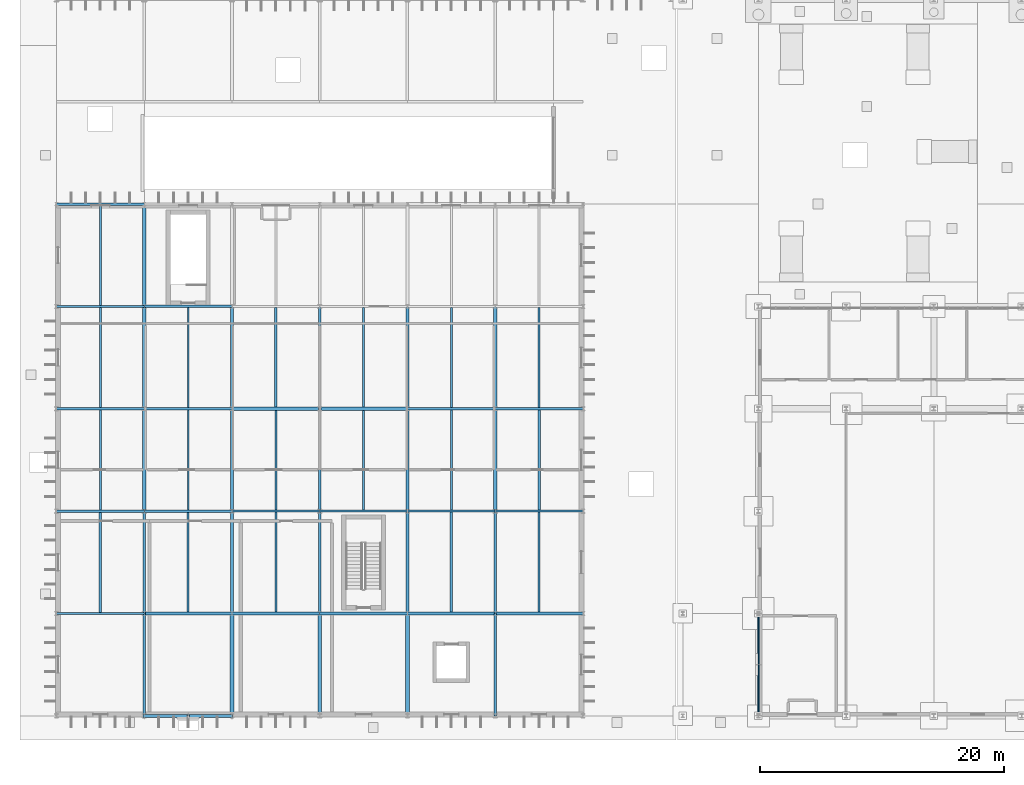
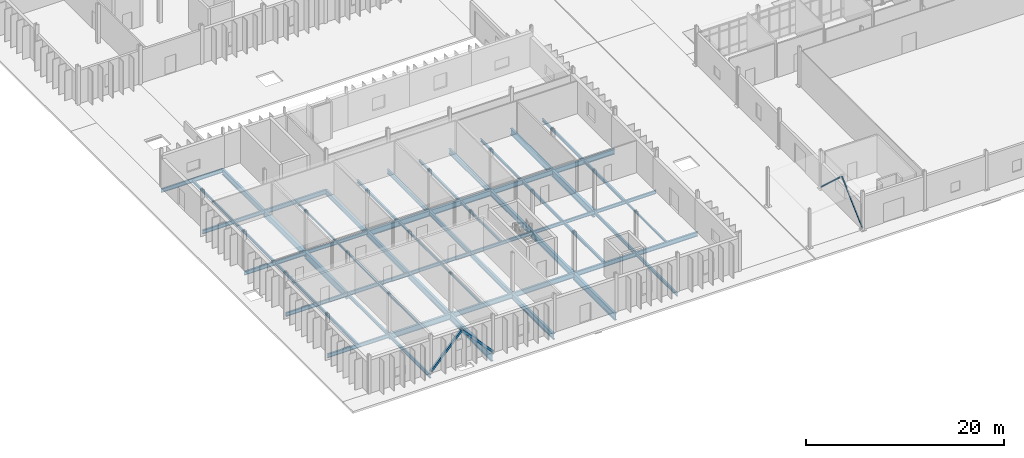
# One storey, part 30 of 118: 60 beams, 4 members.
"""IFC4 building model written with IfcOpenShell, lengths in metres."""

from ifc_helpers import new_model, si_unit, direction, frame, origin, origin_2d, place, context, subcontext, project, spatial, hollow_rectangle, hollow_circle, i_section, extrude, material, material_profile, profile_set, type_object, element, save


model = new_model("IFC4")

# Units and contexts
model_context = context("Model", 3, precision=1e-05, world=origin(), true_north=direction((0.0, 1.0)))
body_context = subcontext(model_context, "Body", "Model", "MODEL_VIEW")
ifc_project = project(units=[si_unit("LENGTHUNIT", "METRE"), si_unit("AREAUNIT", "SQUARE_METRE"), si_unit("VOLUMEUNIT", "CUBIC_METRE"), si_unit("PLANEANGLEUNIT", "RADIAN"), si_unit("MASSUNIT", "GRAM", prefix="KILO")], contexts=[model_context])

# Site, building, storey
site_placement = place(None, origin())
site = spatial("IfcSite", under=ifc_project, at=site_placement, CompositionType="ELEMENT")
building_placement = place(site_placement, origin())
building = spatial("IfcBuilding", under=site, at=building_placement, Name="Qelthora Terrace Specialist Clinic", CompositionType="ELEMENT")
storey_placement = place(building_placement, origin())
storey = spatial("IfcBuildingStorey", under=building, at=storey_placement, Name="L00", CompositionType="ELEMENT", Elevation=0.0)

# Beams
ifc_material = material(Name="Steel S355", Category="steel")
ifc_material_profile_1 = material_profile(ifc_material, i_section(OverallWidth=0.178955078125, OverallDepth=0.409912109375, WebThickness=0.0087890625, FlangeThickness=0.014404296875, FilletRadius=0.011962890625, at=origin_2d()), Name="W410X67")
ifc_profile_set_1 = profile_set([ifc_material_profile_1], Name="Steel S355")
beam_type_1 = type_object("IfcBeamType", Name="BM-W410X67", PredefinedType="BEAM", material=ifc_profile_set_1)
for number, where, z_axis, x_axis, name in (
    (1, (21.60009765625, 16.800048828125, -0.455078125), (1.0, 0.0, 0.0), (0.0, 1.0, 0.0), "Girder BMX-L00-0010"),
    (2, (36.0, 16.800048828125, -0.455078125), (1.0, 0.0, 0.0), (0.0, 1.0, 0.0), "Girder BMX-L00-0012"),
    (3, (7.199951171875, 25.199951171875, -0.455078125), (1.0, 0.0, 0.0), (0.0, 1.0, 0.0), "Girder BMX-L00-0014"),
):
    element("IfcBeam", number, at=place(storey_placement, frame(where, z_axis=z_axis, x_axis=x_axis)), inside=storey, type_object=beam_type_1, Name=name, PredefinedType="BEAM", context=body_context, shape_type="SweptSolid", body=[
        extrude(i_section(OverallWidth=0.178955078125, OverallDepth=0.409912109375, WebThickness=0.0087890625, FlangeThickness=0.014404296875, FilletRadius=0.011962890625, at=origin_2d()), origin(), (0.0, 0.0, 1.0), 7.199951171875),
    ])
for number, where, z_axis, x_axis, name in (
    (4, (7.199951171875, 8.39990234375, -0.455078125), (0.0, 1.0, 0.0), (-1.0, 0.0, 0.0), "Girder BMY-L00-0070"),
    (5, (36.0, 8.39990234375, -0.455078125), (0.0, 1.0, 0.0), (-1.0, 0.0, 0.0), "Girder BMY-L00-0110"),
):
    element("IfcBeam", number, at=place(storey_placement, frame(where, z_axis=z_axis, x_axis=x_axis)), inside=storey, type_object=beam_type_1, Name=name, PredefinedType="BEAM", context=body_context, shape_type="SweptSolid", body=[
        extrude(i_section(OverallWidth=0.178955078125, OverallDepth=0.409912109375, WebThickness=0.0087890625, FlangeThickness=0.014404296875, FilletRadius=0.011962890625, at=origin_2d()), origin(), (0.0, 0.0, 1.0), 8.400146484375),
    ])
ifc_material_profile_2 = material_profile(ifc_material, i_section(OverallWidth=0.179931640625, OverallDepth=0.4130859375, WebThickness=0.009765625, FlangeThickness=0.01611328125, FilletRadius=0.011962890625, at=origin_2d()), Name="W410X75")
ifc_profile_set_2 = profile_set([ifc_material_profile_2], Name="Steel S355")
beam_type_2 = type_object("IfcBeamType", Name="BM-W410X75", PredefinedType="BEAM", material=ifc_profile_set_2)
beam_1_placement = place(storey_placement, frame((14.39990234375, 16.800048828125, -0.45654296875), z_axis=(1.0, 0.0, 0.0), x_axis=(0.0, 1.0, 0.0)))
element("IfcBeam", 6, at=beam_1_placement, inside=storey, type_object=beam_type_2, Name="Girder BMX-L00-0009", PredefinedType="BEAM", context=body_context, shape_type="SweptSolid", body=[
    extrude(i_section(OverallWidth=0.179931640625, OverallDepth=0.4130859375, WebThickness=0.009765625, FlangeThickness=0.01611328125, FilletRadius=0.011962890625, at=origin_2d()), origin(), (0.0, 0.0, 1.0), 7.2001953125),
])
beam_2_placement = place(storey_placement, frame((28.800048828125, 16.800048828125, -0.45654296875), z_axis=(1.0, 0.0, 0.0), x_axis=(0.0, 1.0, 0.0)))
element("IfcBeam", 7, at=beam_2_placement, inside=storey, type_object=beam_type_2, Name="Girder BMX-L00-0011", PredefinedType="BEAM", context=body_context, shape_type="SweptSolid", body=[
    extrude(i_section(OverallWidth=0.179931640625, OverallDepth=0.4130859375, WebThickness=0.009765625, FlangeThickness=0.01611328125, FilletRadius=0.011962890625, at=origin_2d()), origin(), (0.0, 0.0, 1.0), 7.199951171875),
])
for number, where, z_axis, x_axis, name in (
    (8, (7.199951171875, 0.0, -0.45654296875), (0.0, 1.0, 0.0), (-1.0, 0.0, 0.0), "Girder BMY-L00-0069"),
    (9, (36.0, 0.0, -0.45654296875), (0.0, 1.0, 0.0), (-1.0, 0.0, 0.0), "Girder BMY-L00-0109"),
):
    element("IfcBeam", number, at=place(storey_placement, frame(where, z_axis=z_axis, x_axis=x_axis)), inside=storey, type_object=beam_type_2, Name=name, PredefinedType="BEAM", context=body_context, shape_type="SweptSolid", body=[
        extrude(i_section(OverallWidth=0.179931640625, OverallDepth=0.4130859375, WebThickness=0.009765625, FlangeThickness=0.01611328125, FilletRadius=0.011962890625, at=origin_2d()), origin(), (0.0, 0.0, 1.0), 8.39990234375),
    ])
ifc_material_profile_3 = material_profile(ifc_material, i_section(OverallWidth=0.19091796875, OverallDepth=0.4599609375, WebThickness=0.010009765625, FlangeThickness=0.01611328125, FilletRadius=0.012939453125, at=origin_2d()), Name="W460X82")
ifc_profile_set_3 = profile_set([ifc_material_profile_3], Name="Steel S355")
beam_type_3 = type_object("IfcBeamType", Name="BM-W460X82", PredefinedType="BEAM", material=ifc_profile_set_3)
beam_3_placement = place(storey_placement, frame((7.199951171875, 16.800048828125, -0.47998046875), z_axis=(1.0, 0.0, 0.0), x_axis=(0.0, 1.0, 0.0)))
element("IfcBeam", 10, at=beam_3_placement, inside=storey, type_object=beam_type_3, Name="Girder BMX-L00-0008", PredefinedType="BEAM", context=body_context, shape_type="SweptSolid", body=[
    extrude(i_section(OverallWidth=0.19091796875, OverallDepth=0.4599609375, WebThickness=0.010009765625, FlangeThickness=0.01611328125, FilletRadius=0.012939453125, at=origin_2d()), origin(), (0.0, 0.0, 1.0), 7.199951171875),
])
ifc_material_profile_4 = material_profile(ifc_material, i_section(OverallWidth=0.2099609375, OverallDepth=0.537109375, WebThickness=0.010986328125, FlangeThickness=0.017333984375, FilletRadius=0.013916015625, at=origin_2d()), Name="W530X101")
ifc_profile_set_4 = profile_set([ifc_material_profile_4], Name="Steel S355")
beam_type_4 = type_object("IfcBeamType", Name="BM-W530X101", PredefinedType="BEAM", material=ifc_profile_set_4)
for number, where, z_axis, x_axis, name in (
    (11, (36.0, 8.39990234375, -0.5185546875), (1.0, 0.0, 0.0), (0.0, 1.0, 0.0), "Girder BMX-L00-0006"),
    (12, (7.199951171875, 33.60009765625, -0.5185546875), (1.0, 0.0, 0.0), (0.0, 1.0, 0.0), "Girder BMX-L00-0020"),
):
    element("IfcBeam", number, at=place(storey_placement, frame(where, z_axis=z_axis, x_axis=x_axis)), inside=storey, type_object=beam_type_4, Name=name, PredefinedType="BEAM", context=body_context, shape_type="SweptSolid", body=[
        extrude(i_section(OverallWidth=0.2099609375, OverallDepth=0.537109375, WebThickness=0.010986328125, FlangeThickness=0.017333984375, FilletRadius=0.013916015625, at=origin_2d()), origin(), (0.0, 0.0, 1.0), 7.199951171875),
    ])
beam_4_placement = place(storey_placement, frame((21.60009765625, 25.199951171875, -0.5185546875), z_axis=(0.0, 1.0, 0.0), x_axis=(-1.0, 0.0, 0.0)))
element("IfcBeam", 13, at=beam_4_placement, inside=storey, type_object=beam_type_4, Name="Girder BMY-L00-0096", PredefinedType="BEAM", context=body_context, shape_type="SweptSolid", body=[
    extrude(i_section(OverallWidth=0.2099609375, OverallDepth=0.537109375, WebThickness=0.010986328125, FlangeThickness=0.017333984375, FilletRadius=0.013916015625, at=origin_2d()), origin(), (0.0, 0.0, 1.0), 8.400146484375),
])
ifc_material_profile_5 = material_profile(ifc_material, i_section(OverallWidth=0.2119140625, OverallDepth=0.5439453125, WebThickness=0.01318359375, FlangeThickness=0.021240234375, FilletRadius=0.013916015625, at=origin_2d()), Name="W530X123")
ifc_profile_set_5 = profile_set([ifc_material_profile_5], Name="Steel S355")
beam_type_5 = type_object("IfcBeamType", Name="BM-W530X123", PredefinedType="BEAM", material=ifc_profile_set_5)
beam_5_placement = place(storey_placement, frame((28.800048828125, 8.39990234375, -0.52197265625), z_axis=(1.0, 0.0, 0.0), x_axis=(0.0, 1.0, 0.0)))
element("IfcBeam", 14, at=beam_5_placement, inside=storey, type_object=beam_type_5, Name="Girder BMX-L00-0005", PredefinedType="BEAM", context=body_context, shape_type="SweptSolid", body=[
    extrude(i_section(OverallWidth=0.2119140625, OverallDepth=0.5439453125, WebThickness=0.01318359375, FlangeThickness=0.021240234375, FilletRadius=0.013916015625, at=origin_2d()), origin(), (0.0, 0.0, 1.0), 7.199951171875),
])
beam_6_placement = place(storey_placement, frame((21.60009765625, 16.800048828125, -0.52197265625), z_axis=(0.0, 1.0, 0.0), x_axis=(-1.0, 0.0, 0.0)))
element("IfcBeam", 15, at=beam_6_placement, inside=storey, type_object=beam_type_5, Name="Girder BMY-L00-0095", PredefinedType="BEAM", context=body_context, shape_type="SweptSolid", body=[
    extrude(i_section(OverallWidth=0.2119140625, OverallDepth=0.5439453125, WebThickness=0.01318359375, FlangeThickness=0.021240234375, FilletRadius=0.013916015625, at=origin_2d()), origin(), (0.0, 0.0, 1.0), 8.39990234375),
])
ifc_material_profile_6 = material_profile(ifc_material, i_section(OverallWidth=0.22900390625, OverallDepth=0.612060546875, WebThickness=0.011962890625, FlangeThickness=0.01953125, FilletRadius=0.01611328125, at=origin_2d()), Name="W610X125")
ifc_profile_set_6 = profile_set([ifc_material_profile_6], Name="Steel S355")
beam_type_6 = type_object("IfcBeamType", Name="BM-W610X125", PredefinedType="BEAM", material=ifc_profile_set_6)
for number, where, z_axis, x_axis, name in (
    (16, (21.60009765625, 8.39990234375, -0.555908203125), (1.0, 0.0, 0.0), (0.0, 1.0, 0.0), "Girder BMX-L00-0004"),
    (17, (36.0, 25.199951171875, -0.555908203125), (1.0, 0.0, 0.0), (0.0, 1.0, 0.0), "Girder BMX-L00-0018"),
):
    element("IfcBeam", number, at=place(storey_placement, frame(where, z_axis=z_axis, x_axis=x_axis)), inside=storey, type_object=beam_type_6, Name=name, PredefinedType="BEAM", context=body_context, shape_type="SweptSolid", body=[
        extrude(i_section(OverallWidth=0.22900390625, OverallDepth=0.612060546875, WebThickness=0.011962890625, FlangeThickness=0.01953125, FilletRadius=0.01611328125, at=origin_2d()), origin(), (0.0, 0.0, 1.0), 7.199951171875),
    ])
ifc_material_profile_7 = material_profile(ifc_material, i_section(OverallWidth=0.22998046875, OverallDepth=0.616943359375, WebThickness=0.01318359375, FlangeThickness=0.022216796875, FilletRadius=0.01611328125, at=origin_2d()), Name="W610X140")
ifc_profile_set_7 = profile_set([ifc_material_profile_7], Name="Steel S355")
beam_type_7 = type_object("IfcBeamType", Name="BM-W610X140", PredefinedType="BEAM", material=ifc_profile_set_7)
beam_7_placement = place(storey_placement, frame((14.39990234375, 8.39990234375, -0.55859375), z_axis=(1.0, 0.0, 0.0), x_axis=(0.0, 1.0, 0.0)))
element("IfcBeam", 18, at=beam_7_placement, inside=storey, type_object=beam_type_7, Name="Girder BMX-L00-0003", PredefinedType="BEAM", context=body_context, shape_type="SweptSolid", body=[
    extrude(i_section(OverallWidth=0.22998046875, OverallDepth=0.616943359375, WebThickness=0.01318359375, FlangeThickness=0.022216796875, FilletRadius=0.01611328125, at=origin_2d()), origin(), (0.0, 0.0, 1.0), 7.2001953125),
])
beam_8_placement = place(storey_placement, frame((28.800048828125, 25.199951171875, -0.55859375), z_axis=(1.0, 0.0, 0.0), x_axis=(0.0, 1.0, 0.0)))
element("IfcBeam", 19, at=beam_8_placement, inside=storey, type_object=beam_type_7, Name="Girder BMX-L00-0017", PredefinedType="BEAM", context=body_context, shape_type="SweptSolid", body=[
    extrude(i_section(OverallWidth=0.22998046875, OverallDepth=0.616943359375, WebThickness=0.01318359375, FlangeThickness=0.022216796875, FilletRadius=0.01611328125, at=origin_2d()), origin(), (0.0, 0.0, 1.0), 7.199951171875),
])
for number, where, z_axis, x_axis, name in (
    (20, (14.39990234375, 25.199951171875, -0.55859375), (0.0, 1.0, 0.0), (-1.0, 0.0, 0.0), "Girder BMY-L00-0084"),
    (21, (21.60009765625, 8.39990234375, -0.55859375), (0.0, 1.0, 0.0), (-1.0, 0.0, 0.0), "Girder BMY-L00-0094"),
    (22, (28.800048828125, 25.199951171875, -0.55859375), (0.0, 1.0, 0.0), (-1.0, 0.0, 0.0), "Girder BMY-L00-0104"),
):
    element("IfcBeam", number, at=place(storey_placement, frame(where, z_axis=z_axis, x_axis=x_axis)), inside=storey, type_object=beam_type_7, Name=name, PredefinedType="BEAM", context=body_context, shape_type="SweptSolid", body=[
        extrude(i_section(OverallWidth=0.22998046875, OverallDepth=0.616943359375, WebThickness=0.01318359375, FlangeThickness=0.022216796875, FilletRadius=0.01611328125, at=origin_2d()), origin(), (0.0, 0.0, 1.0), 8.400146484375),
    ])
ifc_material_profile_8 = material_profile(ifc_material, i_section(OverallWidth=0.25390625, OverallDepth=0.68798828125, WebThickness=0.01318359375, FlangeThickness=0.02099609375, FilletRadius=0.01806640625, at=origin_2d()), Name="W690X152")
ifc_profile_set_8 = profile_set([ifc_material_profile_8], Name="Steel S355")
beam_type_8 = type_object("IfcBeamType", Name="BM-W690X152", PredefinedType="BEAM", material=ifc_profile_set_8)
for number, where, z_axis, x_axis, name in (
    (23, (7.199951171875, 8.39990234375, -0.593994140625), (1.0, 0.0, 0.0), (0.0, 1.0, 0.0), "Girder BMX-L00-0002"),
    (24, (21.60009765625, 25.199951171875, -0.593994140625), (1.0, 0.0, 0.0), (0.0, 1.0, 0.0), "Girder BMX-L00-0016"),
):
    element("IfcBeam", number, at=place(storey_placement, frame(where, z_axis=z_axis, x_axis=x_axis)), inside=storey, type_object=beam_type_8, Name=name, PredefinedType="BEAM", context=body_context, shape_type="SweptSolid", body=[
        extrude(i_section(OverallWidth=0.25390625, OverallDepth=0.68798828125, WebThickness=0.01318359375, FlangeThickness=0.02099609375, FilletRadius=0.01806640625, at=origin_2d()), origin(), (0.0, 0.0, 1.0), 7.199951171875),
    ])
ifc_material_profile_9 = material_profile(ifc_material, i_section(OverallWidth=0.256103515625, OverallDepth=0.693115234375, WebThickness=0.014404296875, FlangeThickness=0.023681640625, FilletRadius=0.01806640625, at=origin_2d()), Name="W690X170")
ifc_profile_set_9 = profile_set([ifc_material_profile_9], Name="Steel S355")
beam_type_9 = type_object("IfcBeamType", Name="BM-W690X170", PredefinedType="BEAM", material=ifc_profile_set_9)
beam_9_placement = place(storey_placement, frame((14.39990234375, 25.199951171875, -0.596435546875), z_axis=(1.0, 0.0, 0.0), x_axis=(0.0, 1.0, 0.0)))
element("IfcBeam", 25, at=beam_9_placement, inside=storey, type_object=beam_type_9, Name="Girder BMX-L00-0015", PredefinedType="BEAM", context=body_context, shape_type="SweptSolid", body=[
    extrude(i_section(OverallWidth=0.256103515625, OverallDepth=0.693115234375, WebThickness=0.014404296875, FlangeThickness=0.023681640625, FilletRadius=0.01806640625, at=origin_2d()), origin(), (0.0, 0.0, 1.0), 7.2001953125),
])
for number, where, z_axis, x_axis, name in (
    (26, (7.199951171875, 33.60009765625, -0.596435546875), (0.0, 1.0, 0.0), (-1.0, 0.0, 0.0), "Girder BMY-L00-0073"),
    (27, (14.39990234375, 16.800048828125, -0.596435546875), (0.0, 1.0, 0.0), (-1.0, 0.0, 0.0), "Girder BMY-L00-0083"),
    (28, (21.60009765625, 0.0, -0.596435546875), (0.0, 1.0, 0.0), (-1.0, 0.0, 0.0), "Girder BMY-L00-0093"),
    (29, (28.800048828125, 16.800048828125, -0.596435546875), (0.0, 1.0, 0.0), (-1.0, 0.0, 0.0), "Girder BMY-L00-0103"),
):
    element("IfcBeam", number, at=place(storey_placement, frame(where, z_axis=z_axis, x_axis=x_axis)), inside=storey, type_object=beam_type_9, Name=name, PredefinedType="BEAM", context=body_context, shape_type="SweptSolid", body=[
        extrude(i_section(OverallWidth=0.256103515625, OverallDepth=0.693115234375, WebThickness=0.014404296875, FlangeThickness=0.023681640625, FilletRadius=0.01806640625, at=origin_2d()), origin(), (0.0, 0.0, 1.0), 8.39990234375),
    ])
ifc_material_profile_10 = material_profile(ifc_material, i_section(OverallWidth=0.26806640625, OverallDepth=0.77001953125, WebThickness=0.015625, FlangeThickness=0.025390625, FilletRadius=0.01904296875, at=origin_2d()), Name="W760X196")
ifc_profile_set_10 = profile_set([ifc_material_profile_10], Name="Steel S355")
beam_type_10 = type_object("IfcBeamType", Name="BM-W760X196", PredefinedType="BEAM", material=ifc_profile_set_10)
for number, where, z_axis, x_axis, name in (
    (30, (7.199951171875, 25.199951171875, -0.635009765625), (0.0, 1.0, 0.0), (-1.0, 0.0, 0.0), "Girder BMY-L00-0072"),
    (31, (14.39990234375, 8.39990234375, -0.635009765625), (0.0, 1.0, 0.0), (-1.0, 0.0, 0.0), "Girder BMY-L00-0082"),
    (32, (28.800048828125, 8.39990234375, -0.635009765625), (0.0, 1.0, 0.0), (-1.0, 0.0, 0.0), "Girder BMY-L00-0102"),
    (33, (36.0, 25.199951171875, -0.635009765625), (0.0, 1.0, 0.0), (-1.0, 0.0, 0.0), "Girder BMY-L00-0112"),
):
    element("IfcBeam", number, at=place(storey_placement, frame(where, z_axis=z_axis, x_axis=x_axis)), inside=storey, type_object=beam_type_10, Name=name, PredefinedType="BEAM", context=body_context, shape_type="SweptSolid", body=[
        extrude(i_section(OverallWidth=0.26806640625, OverallDepth=0.77001953125, WebThickness=0.015625, FlangeThickness=0.025390625, FilletRadius=0.01904296875, at=origin_2d()), origin(), (0.0, 0.0, 1.0), 8.400146484375),
    ])
ifc_material_profile_11 = material_profile(ifc_material, i_section(OverallWidth=0.2939453125, OverallDepth=0.85107421875, WebThickness=0.01611328125, FlangeThickness=0.02685546875, FilletRadius=0.02001953125, at=origin_2d()), Name="W840X226")
ifc_profile_set_11 = profile_set([ifc_material_profile_11], Name="Steel S355")
beam_type_11 = type_object("IfcBeamType", Name="BM-W840X226", PredefinedType="BEAM", material=ifc_profile_set_11)
for number, where, z_axis, x_axis, name in (
    (34, (7.199951171875, 16.800048828125, -0.675537109375), (0.0, 1.0, 0.0), (-1.0, 0.0, 0.0), "Girder BMY-L00-0071"),
    (35, (14.39990234375, 0.0, -0.675537109375), (0.0, 1.0, 0.0), (-1.0, 0.0, 0.0), "Girder BMY-L00-0081"),
    (36, (28.800048828125, 0.0, -0.675537109375), (0.0, 1.0, 0.0), (-1.0, 0.0, 0.0), "Girder BMY-L00-0101"),
    (37, (36.0, 16.800048828125, -0.675537109375), (0.0, 1.0, 0.0), (-1.0, 0.0, 0.0), "Girder BMY-L00-0111"),
):
    element("IfcBeam", number, at=place(storey_placement, frame(where, z_axis=z_axis, x_axis=x_axis)), inside=storey, type_object=beam_type_11, Name=name, PredefinedType="BEAM", context=body_context, shape_type="SweptSolid", body=[
        extrude(i_section(OverallWidth=0.2939453125, OverallDepth=0.85107421875, WebThickness=0.01611328125, FlangeThickness=0.02685546875, FilletRadius=0.02001953125, at=origin_2d()), origin(), (0.0, 0.0, 1.0), 8.39990234375),
    ])
ifc_material_profile_12 = material_profile(ifc_material, i_section(OverallWidth=0.14599609375, OverallDepth=0.258056640625, WebThickness=0.006103515625, FlangeThickness=0.009033203125, FilletRadius=0.009033203125, at=origin_2d()), Name="W250X33")
ifc_profile_set_12 = profile_set([ifc_material_profile_12], Name="Steel S355")
beam_type_12 = type_object("IfcBeamType", Name="JST-W250X33", PredefinedType="JOIST", material=ifc_profile_set_12)
beam_10_placement = place(storey_placement, frame((10.800048828125, 25.28955078125, -0.37890625), z_axis=(0.0, 1.0, 0.0), x_axis=(-1.0, 0.0, 0.0)))
element("IfcBeam", 38, at=beam_10_placement, inside=storey, type_object=beam_type_12, Name="Composite floor joist JST-L00-0012", PredefinedType="JOIST", context=body_context, shape_type="SweptSolid", body=[
    extrude(i_section(OverallWidth=0.14599609375, OverallDepth=0.258056640625, WebThickness=0.006103515625, FlangeThickness=0.009033203125, FilletRadius=0.009033203125, at=origin_2d()), origin(), (0.0, 0.0, 1.0), 8.20556640625),
])
beam_11_placement = place(storey_placement, frame((18.0, 16.889892578125, -0.37890625), z_axis=(0.0, 1.0, 0.0), x_axis=(-1.0, 0.0, 0.0)))
element("IfcBeam", 39, at=beam_11_placement, inside=storey, type_object=beam_type_12, Name="Composite floor joist JST-L00-0018", PredefinedType="JOIST", context=body_context, shape_type="SweptSolid", body=[
    extrude(i_section(OverallWidth=0.14599609375, OverallDepth=0.258056640625, WebThickness=0.006103515625, FlangeThickness=0.009033203125, FilletRadius=0.009033203125, at=origin_2d()), origin(), (0.0, 0.0, 1.0), 8.18212890625),
])
beam_12_placement = place(storey_placement, frame((39.60009765625, 8.5048828125, -0.37890625), z_axis=(0.0, 1.0, 0.0), x_axis=(-1.0, 0.0, 0.0)))
element("IfcBeam", 40, at=beam_12_placement, inside=storey, type_object=beam_type_12, Name="Composite floor joist JST-L00-0030", PredefinedType="JOIST", context=body_context, shape_type="SweptSolid", body=[
    extrude(i_section(OverallWidth=0.14599609375, OverallDepth=0.258056640625, WebThickness=0.006103515625, FlangeThickness=0.009033203125, FilletRadius=0.009033203125, at=origin_2d()), origin(), (0.0, 0.0, 1.0), 8.20556640625),
])
ifc_material_profile_13 = material_profile(ifc_material, i_section(OverallWidth=0.14697265625, OverallDepth=0.261962890625, WebThickness=0.006591796875, FlangeThickness=0.01123046875, FilletRadius=0.009033203125, at=origin_2d()), Name="W250X39")
ifc_profile_set_13 = profile_set([ifc_material_profile_13], Name="Steel S355")
beam_type_13 = type_object("IfcBeamType", Name="JST-W250X39", PredefinedType="JOIST", material=ifc_profile_set_13)
beam_13_placement = place(storey_placement, frame((10.800048828125, 16.8955078125, -0.381103515625), z_axis=(0.0, 1.0, 0.0), x_axis=(-1.0, 0.0, 0.0)))
element("IfcBeam", 41, at=beam_13_placement, inside=storey, type_object=beam_type_13, Name="Composite floor joist JST-L00-0011", PredefinedType="JOIST", context=body_context, shape_type="SweptSolid", body=[
    extrude(i_section(OverallWidth=0.14697265625, OverallDepth=0.261962890625, WebThickness=0.006591796875, FlangeThickness=0.01123046875, FilletRadius=0.009033203125, at=origin_2d()), origin(), (0.0, 0.0, 1.0), 8.215087890625),
])
beam_14_placement = place(storey_placement, frame((18.0, 8.514892578125, -0.381103515625), z_axis=(0.0, 1.0, 0.0), x_axis=(-1.0, 0.0, 0.0)))
element("IfcBeam", 42, at=beam_14_placement, inside=storey, type_object=beam_type_13, Name="Composite floor joist JST-L00-0017", PredefinedType="JOIST", context=body_context, shape_type="SweptSolid", body=[
    extrude(i_section(OverallWidth=0.14697265625, OverallDepth=0.261962890625, WebThickness=0.006591796875, FlangeThickness=0.01123046875, FilletRadius=0.009033203125, at=origin_2d()), origin(), (0.0, 0.0, 1.0), 8.195068359375),
])
ifc_material_profile_14 = material_profile(ifc_material, i_section(OverallWidth=0.166015625, OverallDepth=0.31298828125, WebThickness=0.006591796875, FlangeThickness=0.01123046875, FilletRadius=0.010009765625, at=origin_2d()), Name="W310X45")
ifc_profile_set_14 = profile_set([ifc_material_profile_14], Name="Steel S355")
beam_type_14 = type_object("IfcBeamType", Name="JST-W310X45", PredefinedType="JOIST", material=ifc_profile_set_14)
beam_15_placement = place(storey_placement, frame((3.60009765625, 33.695556640625, -0.406494140625), z_axis=(0.0, 1.0, 0.0), x_axis=(-1.0, 0.0, 0.0)))
element("IfcBeam", 43, at=beam_15_placement, inside=storey, type_object=beam_type_14, Name="Composite floor joist JST-L00-0004", PredefinedType="JOIST", context=body_context, shape_type="SweptSolid", body=[
    extrude(i_section(OverallWidth=0.166015625, OverallDepth=0.31298828125, WebThickness=0.006591796875, FlangeThickness=0.01123046875, FilletRadius=0.010009765625, at=origin_2d()), origin(), (0.0, 0.0, 1.0), 8.208984375),
])
for number, where, z_axis, x_axis, name in (
    (44, (10.800048828125, 8.527099609375, -0.406494140625), (0.0, 1.0, 0.0), (-1.0, 0.0, 0.0), "Composite floor joist JST-L00-0010"),
    (45, (25.199951171875, 25.326904296875, -0.406494140625), (0.0, 1.0, 0.0), (-1.0, 0.0, 0.0), "Composite floor joist JST-L00-0022"),
):
    element("IfcBeam", number, at=place(storey_placement, frame(where, z_axis=z_axis, x_axis=x_axis)), inside=storey, type_object=beam_type_14, Name=name, PredefinedType="JOIST", context=body_context, shape_type="SweptSolid", body=[
        extrude(i_section(OverallWidth=0.166015625, OverallDepth=0.31298828125, WebThickness=0.006591796875, FlangeThickness=0.01123046875, FilletRadius=0.010009765625, at=origin_2d()), origin(), (0.0, 0.0, 1.0), 8.177490234375),
    ])
ifc_material_profile_15 = material_profile(ifc_material, i_section(OverallWidth=0.1669921875, OverallDepth=0.31689453125, WebThickness=0.007568359375, FlangeThickness=0.01318359375, FilletRadius=0.010009765625, at=origin_2d()), Name="W310X52")
ifc_profile_set_15 = profile_set([ifc_material_profile_15], Name="Steel S355")
beam_type_15 = type_object("IfcBeamType", Name="JST-W310X52", PredefinedType="JOIST", material=ifc_profile_set_15)
beam_16_placement = place(storey_placement, frame((3.60009765625, 25.29541015625, -0.408447265625), z_axis=(0.0, 1.0, 0.0), x_axis=(-1.0, 0.0, 0.0)))
element("IfcBeam", 46, at=beam_16_placement, inside=storey, type_object=beam_type_15, Name="Composite floor joist JST-L00-0003", PredefinedType="JOIST", context=body_context, shape_type="SweptSolid", body=[
    extrude(i_section(OverallWidth=0.1669921875, OverallDepth=0.31689453125, WebThickness=0.007568359375, FlangeThickness=0.01318359375, FilletRadius=0.010009765625, at=origin_2d()), origin(), (0.0, 0.0, 1.0), 8.208984375),
])
beam_17_placement = place(storey_placement, frame((25.199951171875, 16.889404296875, -0.408447265625), z_axis=(0.0, 1.0, 0.0), x_axis=(-1.0, 0.0, 0.0)))
element("IfcBeam", 47, at=beam_17_placement, inside=storey, type_object=beam_type_15, Name="Composite floor joist JST-L00-0021", PredefinedType="JOIST", context=body_context, shape_type="SweptSolid", body=[
    extrude(i_section(OverallWidth=0.1669921875, OverallDepth=0.31689453125, WebThickness=0.007568359375, FlangeThickness=0.01318359375, FilletRadius=0.010009765625, at=origin_2d()), origin(), (0.0, 0.0, 1.0), 8.18359375),
])
beam_18_placement = place(storey_placement, frame((32.39990234375, 25.31494140625, -0.408447265625), z_axis=(0.0, 1.0, 0.0), x_axis=(-1.0, 0.0, 0.0)))
element("IfcBeam", 48, at=beam_18_placement, inside=storey, type_object=beam_type_15, Name="Composite floor joist JST-L00-0027", PredefinedType="JOIST", context=body_context, shape_type="SweptSolid", body=[
    extrude(i_section(OverallWidth=0.1669921875, OverallDepth=0.31689453125, WebThickness=0.007568359375, FlangeThickness=0.01318359375, FilletRadius=0.010009765625, at=origin_2d()), origin(), (0.0, 0.0, 1.0), 8.195068359375),
])
ifc_material_profile_16 = material_profile(ifc_material, i_section(OverallWidth=0.172119140625, OverallDepth=0.35791015625, WebThickness=0.0078125, FlangeThickness=0.01318359375, FilletRadius=0.010986328125, at=origin_2d()), Name="W360X57")
ifc_profile_set_16 = profile_set([ifc_material_profile_16], Name="Steel S355")
beam_type_16 = type_object("IfcBeamType", Name="JST-W360X57", PredefinedType="JOIST", material=ifc_profile_set_16)
beam_19_placement = place(storey_placement, frame((3.60009765625, 16.8955078125, -0.428955078125), z_axis=(0.0, 1.0, 0.0), x_axis=(-1.0, 0.0, 0.0)))
element("IfcBeam", 49, at=beam_19_placement, inside=storey, type_object=beam_type_16, Name="Composite floor joist JST-L00-0002", PredefinedType="JOIST", context=body_context, shape_type="SweptSolid", body=[
    extrude(i_section(OverallWidth=0.172119140625, OverallDepth=0.35791015625, WebThickness=0.0078125, FlangeThickness=0.01318359375, FilletRadius=0.010986328125, at=origin_2d()), origin(), (0.0, 0.0, 1.0), 8.208984375),
])
beam_20_placement = place(storey_placement, frame((32.39990234375, 16.889892578125, -0.428955078125), z_axis=(0.0, 1.0, 0.0), x_axis=(-1.0, 0.0, 0.0)))
element("IfcBeam", 50, at=beam_20_placement, inside=storey, type_object=beam_type_16, Name="Composite floor joist JST-L00-0026", PredefinedType="JOIST", context=body_context, shape_type="SweptSolid", body=[
    extrude(i_section(OverallWidth=0.172119140625, OverallDepth=0.35791015625, WebThickness=0.0078125, FlangeThickness=0.01318359375, FilletRadius=0.010986328125, at=origin_2d()), origin(), (0.0, 0.0, 1.0), 8.195068359375),
])
beam_21_placement = place(storey_placement, frame((39.60009765625, 25.314453125, -0.428955078125), z_axis=(0.0, 1.0, 0.0), x_axis=(-1.0, 0.0, 0.0)))
element("IfcBeam", 51, at=beam_21_placement, inside=storey, type_object=beam_type_16, Name="Composite floor joist JST-L00-0032", PredefinedType="JOIST", context=body_context, shape_type="SweptSolid", body=[
    extrude(i_section(OverallWidth=0.172119140625, OverallDepth=0.35791015625, WebThickness=0.0078125, FlangeThickness=0.01318359375, FilletRadius=0.010986328125, at=origin_2d()), origin(), (0.0, 0.0, 1.0), 8.196044921875),
])
ifc_material_profile_17 = material_profile(ifc_material, i_section(OverallWidth=0.202880859375, OverallDepth=0.346923828125, WebThickness=0.0078125, FlangeThickness=0.013427734375, FilletRadius=0.010986328125, at=origin_2d()), Name="W360X64")
ifc_profile_set_17 = profile_set([ifc_material_profile_17], Name="Steel S355")
beam_type_17 = type_object("IfcBeamType", Name="JST-W360X64", PredefinedType="JOIST", material=ifc_profile_set_17)
beam_22_placement = place(storey_placement, frame((3.60009765625, 8.49560546875, -0.423583984375), z_axis=(0.0, 1.0, 0.0), x_axis=(-1.0, 0.0, 0.0)))
element("IfcBeam", 52, at=beam_22_placement, inside=storey, type_object=beam_type_17, Name="Composite floor joist JST-L00-0001", PredefinedType="JOIST", context=body_context, shape_type="SweptSolid", body=[
    extrude(i_section(OverallWidth=0.202880859375, OverallDepth=0.346923828125, WebThickness=0.0078125, FlangeThickness=0.013427734375, FilletRadius=0.010986328125, at=origin_2d()), origin(), (0.0, 0.0, 1.0), 8.208984375),
])
beam_23_placement = place(storey_placement, frame((18.0, 25.327880859375, -0.423583984375), z_axis=(0.0, 1.0, 0.0), x_axis=(-1.0, 0.0, 0.0)))
element("IfcBeam", 53, at=beam_23_placement, inside=storey, type_object=beam_type_17, Name="Composite floor joist JST-L00-0019", PredefinedType="JOIST", context=body_context, shape_type="SweptSolid", body=[
    extrude(i_section(OverallWidth=0.202880859375, OverallDepth=0.346923828125, WebThickness=0.0078125, FlangeThickness=0.013427734375, FilletRadius=0.010986328125, at=origin_2d()), origin(), (0.0, 0.0, 1.0), 8.175537109375),
])
beam_24_placement = place(storey_placement, frame((32.39990234375, 8.506103515625, -0.423583984375), z_axis=(0.0, 1.0, 0.0), x_axis=(-1.0, 0.0, 0.0)))
element("IfcBeam", 54, at=beam_24_placement, inside=storey, type_object=beam_type_17, Name="Composite floor joist JST-L00-0025", PredefinedType="JOIST", context=body_context, shape_type="SweptSolid", body=[
    extrude(i_section(OverallWidth=0.202880859375, OverallDepth=0.346923828125, WebThickness=0.0078125, FlangeThickness=0.013427734375, FilletRadius=0.010986328125, at=origin_2d()), origin(), (0.0, 0.0, 1.0), 8.203857421875),
])
beam_25_placement = place(storey_placement, frame((39.60009765625, 16.889404296875, -0.423583984375), z_axis=(0.0, 1.0, 0.0), x_axis=(-1.0, 0.0, 0.0)))
element("IfcBeam", 55, at=beam_25_placement, inside=storey, type_object=beam_type_17, Name="Composite floor joist JST-L00-0031", PredefinedType="JOIST", context=body_context, shape_type="SweptSolid", body=[
    extrude(i_section(OverallWidth=0.202880859375, OverallDepth=0.346923828125, WebThickness=0.0078125, FlangeThickness=0.013427734375, FilletRadius=0.010986328125, at=origin_2d()), origin(), (0.0, 0.0, 1.0), 8.196044921875),
])

# Members
ifc_material_profile_18 = material_profile(ifc_material, hollow_circle(Radius=0.083984375, WallThickness=0.008056640625, at=origin_2d()), Name="CHS168X8")
ifc_profile_set_18 = profile_set([ifc_material_profile_18], Name="Steel S355")
member_type_1 = type_object("IfcMemberType", Name="MEM-BRACE-CHS168", PredefinedType="BRACE", material=ifc_profile_set_18)
for number, where, z_axis, x_axis, name in (
    (56, (57.60009765625, 0.0, 0.179931640625), (0.0, 0.73539317044, 0.677640675336), (-1.0, 0.0, 0.0), "Concentric seismic chevron brace B5-L00A"),
    (57, (57.60009765625, 8.39990234375, 0.179931640625), (0.0, -0.73539317044, 0.677640675336), (1.0, 0.0, 0.0), "Concentric seismic chevron brace B5-L00B"),
):
    element("IfcMember", number, at=place(storey_placement, frame(where, z_axis=z_axis, x_axis=x_axis)), inside=storey, type_object=member_type_1, Name=name, PredefinedType="BRACE", context=body_context, shape_type="SweptSolid", body=[
        extrude(hollow_circle(Radius=0.083984375, WallThickness=0.008056640625, at=origin_2d()), origin(), (0.0, 0.0, 1.0), 5.711181640625),
    ])
ifc_material_profile_19 = material_profile(ifc_material, hollow_rectangle(XDim=0.25, YDim=0.25, WallThickness=0.011962890625, at=origin_2d()), Name="HSS250X250X12")
ifc_profile_set_19 = profile_set([ifc_material_profile_19], Name="Steel S355")
member_type_2 = type_object("IfcMemberType", Name="MEM-BRACE-HSS250H", PredefinedType="BRACE", material=ifc_profile_set_19)
for number, where, z_axis, x_axis, name in (
    (58, (7.199951171875, 0.0, 0.179931640625), (0.681102790765, 0.0, 0.732187809522), (0.0, 1.0, 0.0), "Concentric seismic chevron brace B1-L00A"),
    (59, (14.39990234375, 0.0, 0.179931640625), (-0.681078027728, 0.0, 0.732210844051), (0.0, -1.0, 0.0), "Concentric seismic chevron brace B1-L00B"),
):
    element("IfcMember", number, at=place(storey_placement, frame(where, z_axis=z_axis, x_axis=x_axis)), inside=storey, type_object=member_type_2, Name=name, PredefinedType="BRACE", context=body_context, shape_type="SweptSolid", body=[
        extrude(hollow_rectangle(XDim=0.25, YDim=0.25, WallThickness=0.011962890625, at=origin_2d()), origin(), (0.0, 0.0, 1.0), 5.28564453125),
    ])

# Beams
ifc_material_profile_20 = material_profile(ifc_material, i_section(OverallWidth=0.19091796875, OverallDepth=0.4599609375, WebThickness=0.010009765625, FlangeThickness=0.01611328125, FilletRadius=0.012939453125, at=origin_2d()), Name="W460X82")
ifc_profile_set_20 = profile_set([ifc_material_profile_20], Name="Steel S355")
beam_type_18 = type_object("IfcBeamType", Name="SPD-W460X82", PredefinedType="SPANDREL", material=ifc_profile_set_20)
for number, where, z_axis, x_axis, name in (
    (60, (0.0, 8.39990234375, -0.47998046875), (1.0, 0.0, 0.0), (0.0, 1.0, 0.0), "Girder BMX-L00-0001"),
    (61, (0.0, 16.800048828125, -0.47998046875), (1.0, 0.0, 0.0), (0.0, 1.0, 0.0), "Girder BMX-L00-0007"),
    (62, (0.0, 25.199951171875, -0.47998046875), (1.0, 0.0, 0.0), (0.0, 1.0, 0.0), "Girder BMX-L00-0013"),
    (63, (0.0, 33.60009765625, -0.47998046875), (1.0, 0.0, 0.0), (0.0, 1.0, 0.0), "Girder BMX-L00-0019"),
    (64, (0.0, 42.0, -0.48388671875), (1.0, 0.0, 0.0), (0.0, 1.0, 0.0), "Girder BMX-L00-0025"),
):
    element("IfcBeam", number, at=place(storey_placement, frame(where, z_axis=z_axis, x_axis=x_axis)), inside=storey, type_object=beam_type_18, Name=name, PredefinedType="SPANDREL", context=body_context, shape_type="SweptSolid", body=[
        extrude(i_section(OverallWidth=0.19091796875, OverallDepth=0.4599609375, WebThickness=0.010009765625, FlangeThickness=0.01611328125, FilletRadius=0.012939453125, at=origin_2d()), origin(), (0.0, 0.0, 1.0), 7.199951171875),
    ])

save(model, "model.ifc")
